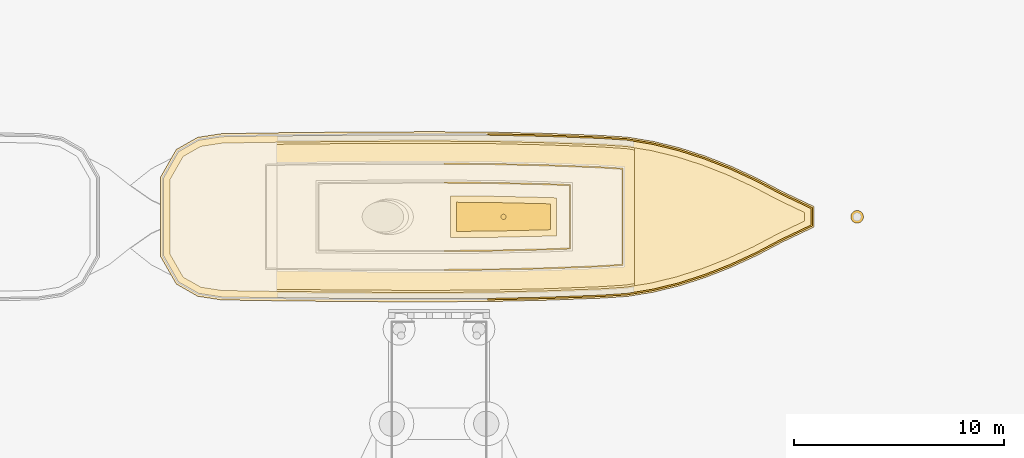
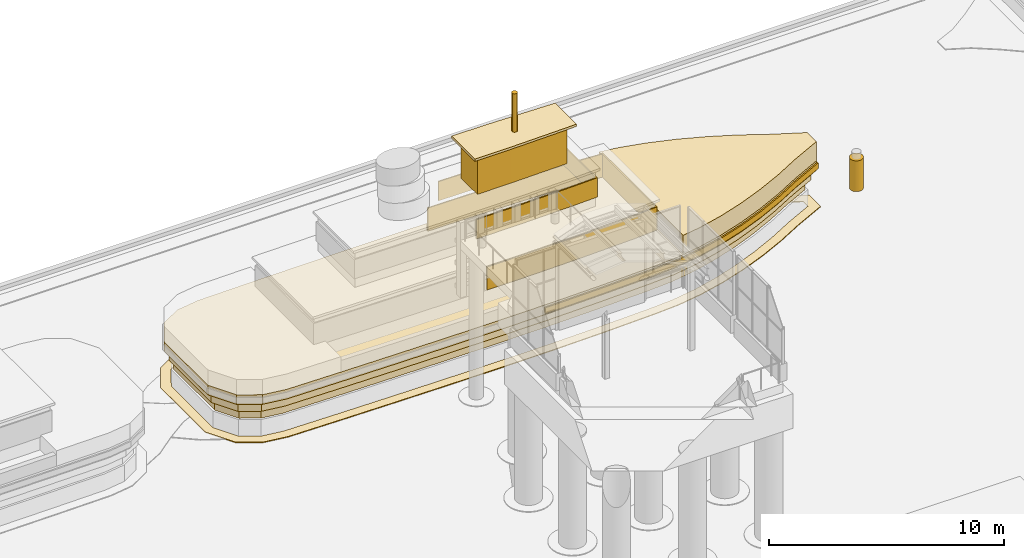
# One storey, part 196 of 222: 12 coverings.
"""IFC4 building model written with IfcOpenShell, lengths in metres."""

from ifc_helpers import new_model, si_unit, direction, frame, origin, origin_2d, place, context, subcontext, project, spatial, polyline, circle, outline, extrude, material, layer, layer_set, type_object, element, save


model = new_model("IFC4")

# Units and contexts
model_context = context("Model", 3, precision=1e-05, world=origin(), true_north=direction((0.0, 1.0)))
body_context = subcontext(model_context, "Body", "Model", "MODEL_VIEW")
ifc_project = project(units=[si_unit("LENGTHUNIT", "METRE"), si_unit("AREAUNIT", "SQUARE_METRE"), si_unit("VOLUMEUNIT", "CUBIC_METRE"), si_unit("PLANEANGLEUNIT", "RADIAN"), si_unit("MASSUNIT", "GRAM", prefix="KILO")], contexts=[model_context])

# Site, building, storey
site_placement = place(None, origin())
site = spatial("IfcSite", under=ifc_project, at=site_placement, CompositionType="ELEMENT")
building_placement = place(site_placement, origin())
building = spatial("IfcBuilding", under=site, at=building_placement, Name="Sava Quay Ferry Terminal", CompositionType="ELEMENT")
storey_placement = place(building_placement, origin())
storey = spatial("IfcBuildingStorey", under=building, at=storey_placement, Name="L00", CompositionType="ELEMENT", Elevation=0.0)

# Coverings
ifc_material_1 = material(Name="Timber", Category="wood")
ifc_layer_1 = layer(ifc_material_1, 0.60009765625)
ifc_layer_set_1 = layer_set([ifc_layer_1], Name="Timber")
covering_type_1 = type_object("IfcCoveringType", Name="Harbour dolphin post 600", PredefinedType="CLADDING", material=ifc_layer_set_1)
covering_1_placement = place(storey_placement, frame((97.60009765625, 155.35009765625, -6.39990234375), z_axis=(0.0, 0.0, -1.0), x_axis=(1.0, 0.0, 0.0)))
element("IfcCovering", 1, at=covering_1_placement, inside=storey, type_object=covering_type_1, Name="Mooring dolphin post", PredefinedType="CLADDING", context=body_context, shape_type="SweptSolid", body=[
    extrude(circle(Radius=0.300048828125, at=origin_2d()), origin(), (0.0, 0.0, 1.0), 1.60009765625),
])
ifc_material_2 = material(Name="Water")
ifc_layer_2 = layer(ifc_material_2, 0.0400390625)
ifc_layer_set_2 = layer_set([ifc_layer_2], Name="Water")
covering_type_2 = type_object("IfcCoveringType", Name="River foam collar", PredefinedType="CLADDING", material=ifc_layer_set_2)
covering_2_placement = place(storey_placement, frame((0.0, 0.0, -8.0)))
element("IfcCovering", 2, at=covering_2_placement, inside=storey, type_object=covering_type_2, Name="River foam collar", PredefinedType="CLADDING", context=body_context, shape_type="SweptSolid", body=[
    extrude(outline(polyline([(69.964111328125, 159.34912109375), (67.35400390625, 159.30810546875), (66.216064453125, 159.133056640625), (65.197021484375, 158.553955078125), (64.449951171875, 157.24609375), (64.449951171875, 153.4541015625), (65.197021484375, 152.14599609375), (66.216064453125, 151.56689453125), (67.35400390625, 151.39208984375), (69.964111328125, 151.35107421875), (72.5380859375, 151.322998046875), (75.112060546875, 151.304931640625), (77.68701171875, 151.300048828125), (80.26611328125, 151.320068359375), (82.844970703125, 151.37890625), (85.427978515625, 151.47607421875), (86.662109375, 151.556884765625), (87.909912109375, 151.760009765625), (89.14990234375, 152.06396484375), (90.385009765625, 152.4619140625), (91.615966796875, 152.946044921875), (92.843994140625, 153.512939453125), (94.047119140625, 154.14794921875), (95.550048828125, 154.862060546875), (95.550048828125, 155.837890625), (94.047119140625, 156.552001953125), (92.843994140625, 157.18701171875), (91.615966796875, 157.75390625), (90.385009765625, 158.238037109375), (89.14990234375, 158.635986328125), (87.909912109375, 158.93994140625), (86.662109375, 159.14306640625), (85.427978515625, 159.22412109375), (82.844970703125, 159.321044921875), (80.26611328125, 159.3798828125), (77.68701171875, 159.39990234375), (75.112060546875, 159.39501953125), (72.5380859375, 159.376953125), (69.964111328125, 159.34912109375)]), holes=[polyline([(67.39208984375, 151.842041015625), (66.366943359375, 151.9990234375), (65.527099609375, 152.47705078125), (64.89990234375, 153.572998046875), (64.89990234375, 157.126953125), (65.527099609375, 158.222900390625), (66.366943359375, 158.700927734375), (67.39208984375, 158.85791015625), (69.969970703125, 158.89892578125), (72.5419921875, 158.927001953125), (75.114013671875, 158.945068359375), (77.68603515625, 158.949951171875), (80.259033203125, 158.929931640625), (82.83203125, 158.87109375), (85.405029296875, 158.77490234375), (86.611083984375, 158.696044921875), (87.820068359375, 158.4990234375), (89.027099609375, 158.201904296875), (90.23388671875, 157.81396484375), (91.43896484375, 157.340087890625), (92.64404296875, 156.783935546875), (93.844970703125, 156.14990234375), (95.10009765625, 155.552978515625), (95.10009765625, 155.14697265625), (93.844970703125, 154.550048828125), (92.64404296875, 153.916015625), (91.43896484375, 153.360107421875), (90.23388671875, 152.885986328125), (89.027099609375, 152.498046875), (87.820068359375, 152.200927734375), (86.611083984375, 152.00390625), (85.405029296875, 151.925048828125), (82.83203125, 151.8291015625), (80.259033203125, 151.77001953125), (77.68603515625, 151.75), (75.114013671875, 151.7548828125), (72.5419921875, 151.77294921875), (69.969970703125, 151.801025390625), (67.39208984375, 151.842041015625)])]), origin(), (0.0, 0.0, 1.0), 0.0400390625),
])
ifc_material_3 = material(Name="Steel S355", Category="steel")
ifc_layer_3 = layer(ifc_material_3, 0.1201171875)
ifc_layer_set_3 = layer_set([ifc_layer_3], Name="Steel S355")
covering_type_3 = type_object("IfcCoveringType", Name="Vessel deck plate 120", PredefinedType="FLOORING", material=ifc_layer_set_3)
covering_3_placement = place(storey_placement, frame((0.0, 0.0, 0.739990234375)))
element("IfcCovering", 3, at=covering_3_placement, inside=storey, type_object=covering_type_3, Name="Vessel wheelhouse roof", PredefinedType="FLOORING", context=body_context, shape_type="SweptSolid", body=[
    extrude(outline(polyline([(80.218994140625, 156.330078125), (78.2451171875, 156.344970703125), (78.2451171875, 154.35498046875), (80.218994140625, 154.3701171875), (82.7529296875, 154.427978515625), (83.300048828125, 154.447998046875), (83.300048828125, 156.251953125), (82.7529296875, 156.27197265625), (80.218994140625, 156.330078125)])), origin(), (0.0, 0.0, 1.0), 0.1201171875),
])
ifc_material_4 = material(Name="Steel S355", Category="steel")
ifc_layer_4 = layer(ifc_material_4, 0.89990234375)
ifc_layer_set_4 = layer_set([ifc_layer_4], Name="Steel S355")
covering_type_4 = type_object("IfcCoveringType", Name="Vessel forecastle 900", PredefinedType="CLADDING", material=ifc_layer_set_4)
covering_4_placement = place(storey_placement, frame((0.0, 0.0, -5.60009765625)))
element("IfcCovering", 4, at=covering_4_placement, inside=storey, type_object=covering_type_4, Name="Vessel forecastle", PredefinedType="CLADDING", context=body_context, shape_type="SweptSolid", body=[
    extrude(outline(polyline([(87.8798828125, 158.79296875), (87.0, 158.93603515625), (87.0, 151.763916015625), (87.8798828125, 151.906982421875), (89.10888671875, 152.208984375), (90.3349609375, 152.60302734375), (91.556884765625, 153.083984375), (92.777099609375, 153.64697265625), (93.97900390625, 154.281982421875), (95.39990234375, 154.95703125), (95.39990234375, 155.742919921875), (93.97900390625, 156.41796875), (92.777099609375, 157.052978515625), (91.556884765625, 157.615966796875), (90.3349609375, 158.096923828125), (89.10888671875, 158.490966796875), (87.8798828125, 158.79296875)])), origin(), (0.0, 0.0, 1.0), 1.0),
])
ifc_material_5 = material(Name="Steel S355", Category="steel")
ifc_layer_5 = layer(ifc_material_5, 1.5)
ifc_layer_set_5 = layer_set([ifc_layer_5], Name="Steel S355")
covering_type_5 = type_object("IfcCoveringType", Name="Vessel hull side", PredefinedType="CLADDING", material=ifc_layer_set_5)
covering_5_placement = place(storey_placement, frame((0.0, 0.0, -7.10009765625)))
element("IfcCovering", 5, at=covering_5_placement, inside=storey, type_object=covering_type_5, Name="Moored passenger vessel hull", PredefinedType="CLADDING", context=body_context, shape_type="SweptSolid", body=[
    extrude(outline(polyline([(65.0, 157.10009765625), (65.0, 153.60009765625), (65.60009765625, 152.550048828125), (66.39990234375, 152.094970703125), (67.39990234375, 151.94189453125), (69.970947265625, 151.90087890625), (72.54296875, 151.873046875), (75.114013671875, 151.85498046875), (77.68603515625, 151.85009765625), (80.257080078125, 151.8701171875), (82.8291015625, 151.928955078125), (85.39990234375, 152.02490234375), (86.60009765625, 152.10400390625), (87.800048828125, 152.299072265625), (89.0, 152.593994140625), (90.199951171875, 152.97998046875), (91.39990234375, 153.451904296875), (92.60009765625, 154.006103515625), (93.800048828125, 154.639892578125), (95.0, 155.2099609375), (95.0, 155.489990234375), (93.800048828125, 156.06005859375), (92.60009765625, 156.694091796875), (91.39990234375, 157.248046875), (90.199951171875, 157.719970703125), (89.0, 158.10595703125), (87.800048828125, 158.40087890625), (86.60009765625, 158.595947265625), (85.39990234375, 158.675048828125), (82.8291015625, 158.77099609375), (80.257080078125, 158.830078125), (77.68603515625, 158.85009765625), (75.114013671875, 158.844970703125), (72.54296875, 158.826904296875), (69.970947265625, 158.799072265625), (67.39990234375, 158.758056640625), (66.39990234375, 158.60498046875), (65.60009765625, 158.14990234375), (65.0, 157.10009765625)])), origin(), (0.0, 0.0, 1.0), 0.5),
])
covering_6_placement = place(storey_placement, frame((0.0, 0.0, -6.60009765625)))
element("IfcCovering", 6, at=covering_6_placement, inside=storey, type_object=covering_type_5, Name="Moored passenger vessel hull", PredefinedType="CLADDING", context=body_context, shape_type="SweptSolid", body=[
    extrude(outline(polyline([(64.800048828125, 157.153076171875), (64.800048828125, 153.547119140625), (65.4541015625, 152.403076171875), (66.3330078125, 151.903076171875), (67.383056640625, 151.741943359375), (69.968994140625, 151.700927734375), (72.541015625, 151.673095703125), (75.113037109375, 151.655029296875), (77.68603515625, 151.64990234375), (80.260009765625, 151.669921875), (82.8349609375, 151.72900390625), (85.409912109375, 151.824951171875), (86.623046875, 151.905029296875), (87.840087890625, 152.10302734375), (89.054931640625, 152.40087890625), (90.26708984375, 152.791015625), (91.47900390625, 153.26806640625), (92.68896484375, 153.826904296875), (93.889892578125, 154.4609375), (95.199951171875, 155.083984375), (95.199951171875, 155.615966796875), (93.889892578125, 156.239013671875), (92.68896484375, 156.873046875), (91.47900390625, 157.431884765625), (90.26708984375, 157.908935546875), (89.054931640625, 158.299072265625), (87.840087890625, 158.596923828125), (86.623046875, 158.794921875), (85.409912109375, 158.875), (82.8349609375, 158.970947265625), (80.260009765625, 159.030029296875), (77.68603515625, 159.050048828125), (75.113037109375, 159.044921875), (72.541015625, 159.027099609375), (69.968994140625, 158.9990234375), (67.383056640625, 158.9580078125), (66.3330078125, 158.797119140625), (65.4541015625, 158.297119140625), (64.800048828125, 157.153076171875)])), origin(), (0.0, 0.0, 1.0), 0.5),
])
covering_7_placement = place(storey_placement, frame((0.0, 0.0, -6.10009765625)))
element("IfcCovering", 7, at=covering_7_placement, inside=storey, type_object=covering_type_5, Name="Moored passenger vessel hull", PredefinedType="CLADDING", context=body_context, shape_type="SweptSolid", body=[
    extrude(outline(polyline([(64.60009765625, 157.2060546875), (64.60009765625, 153.493896484375), (65.306884765625, 152.256103515625), (66.26611328125, 151.7109375), (67.365966796875, 151.5419921875), (69.966064453125, 151.5009765625), (72.5390625, 151.472900390625), (75.113037109375, 151.455078125), (77.68701171875, 151.449951171875), (80.262939453125, 151.469970703125), (82.841064453125, 151.529052734375), (85.4208984375, 151.625), (86.64501953125, 151.7060546875), (87.8798828125, 151.906982421875), (89.10888671875, 152.208984375), (90.3349609375, 152.60302734375), (91.556884765625, 153.083984375), (92.777099609375, 153.64697265625), (93.97900390625, 154.281982421875), (95.39990234375, 154.95703125), (95.39990234375, 155.742919921875), (93.97900390625, 156.41796875), (92.777099609375, 157.052978515625), (91.556884765625, 157.615966796875), (90.3349609375, 158.096923828125), (89.10888671875, 158.490966796875), (87.8798828125, 158.79296875), (86.64501953125, 158.993896484375), (85.4208984375, 159.074951171875), (82.841064453125, 159.1708984375), (80.262939453125, 159.22998046875), (77.68701171875, 159.25), (75.113037109375, 159.2451171875), (72.5390625, 159.22705078125), (69.966064453125, 159.198974609375), (67.365966796875, 159.157958984375), (66.26611328125, 158.989013671875), (65.306884765625, 158.444091796875), (64.60009765625, 157.2060546875)])), origin(), (0.0, 0.0, 1.0), 0.5),
])
ifc_material_6 = material(Name="Steel S355", Category="steel")
ifc_layer_6 = layer(ifc_material_6, 0.25)
ifc_layer_set_6 = layer_set([ifc_layer_6], Name="Steel S355")
covering_type_6 = type_object("IfcCoveringType", Name="Vessel mast 250", PredefinedType="CLADDING", material=ifc_layer_set_6)
covering_8_placement = place(storey_placement, frame((80.7724609375, 155.35009765625, 2.860107421875), z_axis=(0.0, 0.0, -1.0), x_axis=(1.0, 0.0, 0.0)))
element("IfcCovering", 8, at=covering_8_placement, inside=storey, type_object=covering_type_6, Name="Vessel mast", PredefinedType="CLADDING", context=body_context, shape_type="SweptSolid", body=[
    extrude(circle(Radius=0.125, at=origin_2d()), origin(), (0.0, 0.0, 1.0), 2.0),
])
ifc_material_7 = material(Name="Steel S355", Category="steel")
ifc_layer_7 = layer(ifc_material_7, 0.300048828125)
ifc_layer_set_7 = layer_set([ifc_layer_7], Name="Steel S355")
covering_type_7 = type_object("IfcCoveringType", Name="Vessel rubbing strake 300", PredefinedType="CLADDING", material=ifc_layer_set_7)
covering_9_placement = place(storey_placement, frame((0.0, 0.0, -6.0)))
element("IfcCovering", 9, at=covering_9_placement, inside=storey, type_object=covering_type_7, Name="Vessel rubbing strake", PredefinedType="CLADDING", context=body_context, shape_type="SweptSolid", body=[
    extrude(outline(polyline([(80.263916015625, 159.300048828125), (80.0, 159.302001953125), (80.0, 159.23193359375), (80.262939453125, 159.22998046875), (82.841064453125, 159.1708984375), (85.4208984375, 159.074951171875), (86.64501953125, 158.993896484375), (87.8798828125, 158.79296875), (89.10888671875, 158.490966796875), (90.3349609375, 158.096923828125), (91.556884765625, 157.615966796875), (92.777099609375, 157.052978515625), (93.97900390625, 156.41796875), (95.39990234375, 155.742919921875), (95.39990234375, 154.95703125), (93.97900390625, 154.281982421875), (92.777099609375, 153.64697265625), (91.556884765625, 153.083984375), (90.3349609375, 152.60302734375), (89.10888671875, 152.208984375), (87.8798828125, 151.906982421875), (86.64501953125, 151.7060546875), (85.4208984375, 151.625), (82.841064453125, 151.529052734375), (80.262939453125, 151.469970703125), (80.0, 151.468017578125), (80.0, 151.39794921875), (80.263916015625, 151.39990234375), (82.843017578125, 151.458984375), (85.424072265625, 151.555908203125), (86.653076171875, 151.635986328125), (87.89404296875, 151.837890625), (89.1279296875, 152.14111328125), (90.35791015625, 152.537109375), (91.5849609375, 153.01904296875), (92.80810546875, 153.5849609375), (94.010986328125, 154.218994140625), (95.469970703125, 154.9130859375), (95.469970703125, 155.787109375), (94.010986328125, 156.48095703125), (92.80810546875, 157.114990234375), (91.5849609375, 157.680908203125), (90.35791015625, 158.1630859375), (89.1279296875, 158.55908203125), (87.89404296875, 158.862060546875), (86.653076171875, 159.06396484375), (85.424072265625, 159.14404296875), (82.843017578125, 159.240966796875), (80.263916015625, 159.300048828125)])), origin(), (0.0, 0.0, 1.0), 0.300048828125),
])
ifc_material_8 = material(Name="Aluminium cladding", Category="aluminium")
ifc_layer_8 = layer(ifc_material_8, 2.60009765625)
ifc_layer_set_8 = layer_set([ifc_layer_8], Name="Aluminium cladding")
covering_type_8 = type_object("IfcCoveringType", Name="Vessel wheelhouse", PredefinedType="CLADDING", material=ifc_layer_set_8)
covering_10_placement = place(storey_placement, frame((0.0, 0.0, -1.260009765625)))
element("IfcCovering", 10, at=covering_10_placement, inside=storey, type_object=covering_type_8, Name="Vessel wheelhouse", PredefinedType="CLADDING", context=body_context, shape_type="SweptSolid", body=[
    extrude(outline(polyline([(80.214111328125, 156.030029296875), (78.544921875, 156.04296875), (78.544921875, 154.656982421875), (80.214111328125, 154.669921875), (82.743896484375, 154.72705078125), (83.0, 154.737060546875), (83.0, 155.962890625), (82.743896484375, 155.972900390625), (80.214111328125, 156.030029296875)])), origin(), (0.0, 0.0, 1.0), 2.0),
])
ifc_material_9 = material(Name="Glass", Category="glass")
ifc_layer_9 = layer(ifc_material_9, 0.06005859375)
ifc_layer_set_9 = layer_set([ifc_layer_9], Name="Glass")
covering_type_9 = type_object("IfcCoveringType", Name="Vessel window band 60", PredefinedType="CLADDING", material=ifc_layer_set_9)
covering_11_placement = place(storey_placement, frame((0.0, 0.0, -4.89990234375)))
element("IfcCovering", 11, at=covering_11_placement, inside=storey, type_object=covering_type_9, Name="Vessel window band", PredefinedType="CLADDING", context=body_context, shape_type="SweptSolid", body=[
    extrude(outline(polyline([(80.242919921875, 157.889892578125), (77.949951171875, 157.907958984375), (77.949951171875, 157.847900390625), (80.241943359375, 157.830078125), (82.799072265625, 157.77197265625), (85.34912109375, 157.676025390625), (86.39990234375, 157.60693359375), (86.39990234375, 153.093017578125), (85.34912109375, 153.02392578125), (82.799072265625, 152.927978515625), (80.241943359375, 152.8701171875), (77.949951171875, 152.85205078125), (77.949951171875, 152.7919921875), (80.242919921875, 152.81005859375), (82.800048828125, 152.867919921875), (85.35205078125, 152.964111328125), (86.4599609375, 153.037109375), (86.4599609375, 157.6630859375), (85.35205078125, 157.736083984375), (82.800048828125, 157.83203125), (80.242919921875, 157.889892578125)])), origin(), (0.0, 0.0, 1.0), 1.199951171875),
])
covering_12_placement = place(storey_placement, frame((0.0, 0.0, -2.780029296875)))
element("IfcCovering", 12, at=covering_12_placement, inside=storey, type_object=covering_type_9, Name="Vessel window band", PredefinedType="CLADDING", context=body_context, shape_type="SweptSolid", body=[
    extrude(outline(polyline([(80.22900390625, 156.989990234375), (77.949951171875, 157.008056640625), (77.949951171875, 156.947998046875), (80.22802734375, 156.929931640625), (82.77099609375, 156.8720703125), (83.89990234375, 156.830078125), (83.89990234375, 153.8701171875), (82.77099609375, 153.827880859375), (80.22802734375, 153.77001953125), (77.949951171875, 153.751953125), (77.949951171875, 153.69189453125), (80.22900390625, 153.7099609375), (82.77294921875, 153.76806640625), (83.9599609375, 153.81201171875), (83.9599609375, 156.887939453125), (82.77294921875, 156.931884765625), (80.22900390625, 156.989990234375)])), origin(), (0.0, 0.0, 1.0), 1.0),
])

save(model, "model.ifc")
